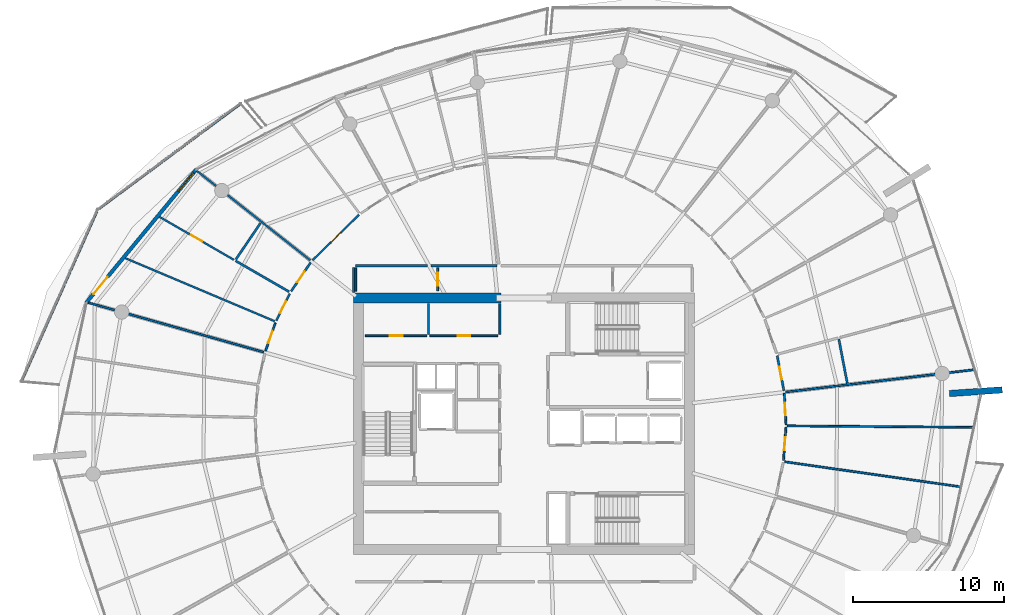
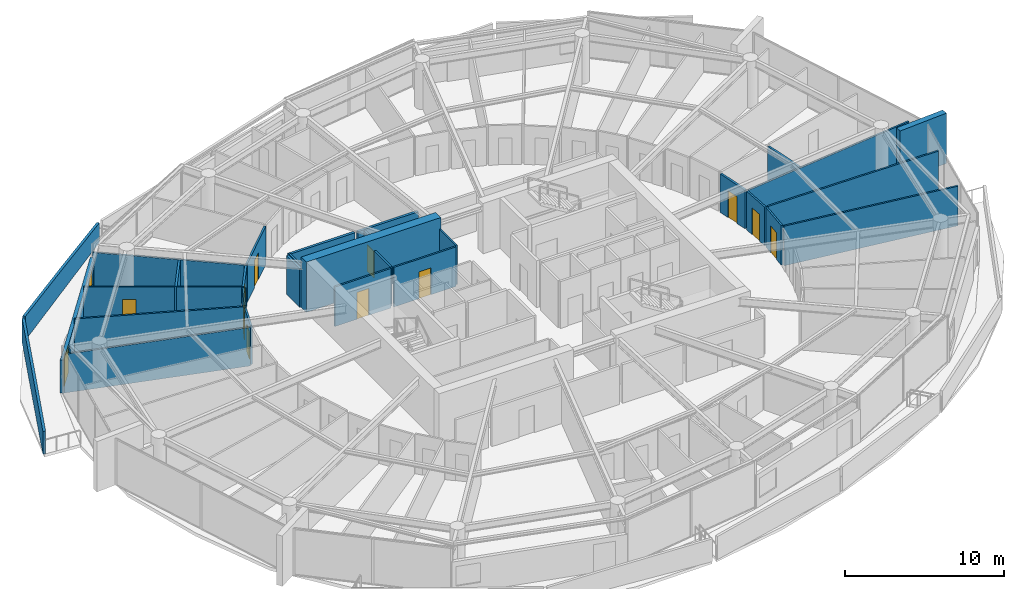
# One storey, part 21 of 30: 31 walls, 12 doors, 1 window, 13 openings.
"""IFC4 building model written with IfcOpenShell, lengths in metres."""

from ifc_helpers import new_model, si_unit, direction, frame, frame_2d, origin, place, context, subcontext, project, spatial, polyline, rectangle, outline, extrude, material, layer, layer_set, type_object, element, fill, save


model = new_model("IFC4")

# Units and contexts
model_context = context("Model", 3, precision=1e-05, world=origin(), true_north=direction((0.0, 1.0)))
body_context = subcontext(model_context, "Body", "Model", "MODEL_VIEW")
ifc_project = project(units=[si_unit("LENGTHUNIT", "METRE"), si_unit("AREAUNIT", "SQUARE_METRE"), si_unit("VOLUMEUNIT", "CUBIC_METRE"), si_unit("PLANEANGLEUNIT", "RADIAN"), si_unit("MASSUNIT", "GRAM", prefix="KILO")], contexts=[model_context])

# Site, building, storey
site_placement = place(None, origin())
site = spatial("IfcSite", under=ifc_project, at=site_placement, CompositionType="ELEMENT")
building_placement = place(site_placement, origin())
building = spatial("IfcBuilding", under=site, at=building_placement, Name="Kazma Halo Residences", CompositionType="ELEMENT")
storey_placement = place(building_placement, frame((0.0, 0.0, 263.64990234375)))
storey = spatial("IfcBuildingStorey", under=building, at=storey_placement, Name="L66", CompositionType="ELEMENT", Elevation=263.64990234375)

# Walls
ifc_material_1 = material(Name="White Concrete C50/60 Balustrade", Category="concrete")
ifc_layer_1 = layer(ifc_material_1, 0.179931640625)
ifc_layer_set_1 = layer_set([ifc_layer_1], Name="White Concrete C50/60 Balustrade")
wall_type_1 = type_object("IfcWallType", Name="WL-BAL-WAVE-180", PredefinedType="PARAPET", material=ifc_layer_set_1)
wall_1_placement = place(storey_placement, frame((29.681396484375, 63.184814453125, 0.0), z_axis=(0.0, 0.0, 1.0), x_axis=(-0.803330402034, -0.59553359701, 0.0)))
element("IfcWall", 1, at=wall_1_placement, inside=storey, type_object=wall_type_1, Name="L66 white wave balustrade wall NW.1", PredefinedType="PARAPET", context=body_context, shape_type="SweptSolid", body=[
    extrude(outline(polyline([(0.0, 0.0), (11.673828125, 0.0), (11.673828125, 1.83203125), (5.8369140625, 1.696044921875), (0.0, 1.4970703125), (0.0, 0.0)])), frame((0.0, 0.08984375, 0.0), z_axis=(0.0, -1.0, 0.0), x_axis=(1.0, 0.0, 0.0)), (0.0, 0.0, 1.0), 0.179931640625),
])
wall_2_placement = place(storey_placement, frame((20.158447265625, 56.051513671875, 0.0), z_axis=(0.0, 0.0, 1.0), x_axis=(-0.405327660322, -0.914171476135, 0.0)))
element("IfcWall", 2, at=wall_2_placement, inside=storey, type_object=wall_type_1, Name="L66 white wave balustrade wall NW.2", PredefinedType="PARAPET", context=body_context, shape_type="SweptSolid", body=[
    extrude(outline(polyline([(0.0, 0.0), (12.322998046875, 0.0), (12.322998046875, 1.756103515625), (6.16162109375, 1.85302734375), (0.0, 1.83203125), (0.0, 0.0)])), frame((0.0, 0.08984375, 0.0), z_axis=(0.0, -1.0, 0.0), x_axis=(1.0, 0.0, 0.0)), (0.0, 0.0, 1.0), 0.179931640625),
])
ifc_material_2 = material(Name="Pale Concrete C60/75", Category="concrete")
ifc_layer_2 = layer(ifc_material_2, 0.419921875)
ifc_layer_set_2 = layer_set([ifc_layer_2], Name="Pale Concrete C60/75")
wall_type_2 = type_object("IfcWallType", Name="WL-BLADE-420", PredefinedType="SOLIDWALL", material=ifc_layer_set_2)
wall_3_placement = place(storey_placement, frame((76.5625, 43.997314453125, 0.0), z_axis=(0.0, 0.0, 1.0), x_axis=(0.997563824095, 0.069759707979, 0.0)))
element("IfcWall", 3, at=wall_3_placement, inside=storey, type_object=wall_type_2, Name="L66 pale concrete structural blade fin wall BW-04", PredefinedType="SOLIDWALL", context=body_context, shape_type="SweptSolid", body=[
    extrude(rectangle(XDim=3.499755859375, YDim=0.419921875, at=frame_2d((1.75, 0.0))), origin(), (0.0, 0.0, 1.0), 3.85009765625),
])
ifc_material_3 = material(Name="Concrete C60/75", Category="concrete")
ifc_layer_3 = layer(ifc_material_3, 0.64990234375)
ifc_layer_set_3 = layer_set([ifc_layer_3], Name="Concrete C60/75")
wall_type_3 = type_object("IfcWallType", Name="WL-CORE-650", PredefinedType="SHEAR", material=ifc_layer_set_3)
wall_4_placement = place(storey_placement, frame((37.14990234375, 50.324951171875, 0.0), z_axis=(0.0, 0.0, 1.0), x_axis=(1.0, 0.0, 0.0)))
element("IfcWall", 4, at=wall_4_placement, inside=storey, type_object=wall_type_3, Name="L66 central core shear wall NW", PredefinedType="SHEAR", context=body_context, shape_type="SweptSolid", body=[
    extrude(rectangle(XDim=9.75, YDim=0.64990234375, at=frame_2d((4.875, 0.0))), origin(), (0.0, 0.0, 1.0), 3.85009765625),
])
ifc_material_4 = material(Name="Acoustic Twin-Stud Gypsum")
ifc_layer_4 = layer(ifc_material_4, 0.179931640625)
ifc_layer_set_4 = layer_set([ifc_layer_4], Name="Acoustic Twin-Stud Gypsum")
wall_type_4 = type_object("IfcWallType", Name="WL-DEM-180", PredefinedType="PARTITIONING", material=ifc_layer_set_4)
wall_5_placement = place(storey_placement, frame((46.643310546875, 52.449951171875, 0.0), z_axis=(0.0, 0.0, 1.0), x_axis=(-1.0, 0.0, 0.0)))
element("IfcWall", 5, at=wall_5_placement, inside=storey, type_object=wall_type_4, Name="L66 Apartment 1 inner wall 3", PredefinedType="PARTITIONING", context=body_context, shape_type="SweptSolid", body=[
    extrude(rectangle(XDim=4.375732421875, YDim=0.179931640625, at=frame_2d((2.18798828125, 0.0))), origin(), (0.0, 0.0, 1.0), 2.95703125),
])
wall_6_placement = place(storey_placement, frame((42.027587890625, 52.449951171875, 0.0), z_axis=(0.0, 0.0, 1.0), x_axis=(-1.0, 0.0, 0.0)))
element("IfcWall", 6, at=wall_6_placement, inside=storey, type_object=wall_type_4, Name="L66 Apartment 1 inner wall 4", PredefinedType="PARTITIONING", context=body_context, shape_type="SweptSolid", body=[
    extrude(rectangle(XDim=4.757568359375, YDim=0.179931640625, at=frame_2d((2.37890625, 0.0))), origin(), (0.0, 0.0, 1.0), 2.95703125),
])
wall_7_placement = place(storey_placement, frame((37.14990234375, 52.330078125, 0.0), z_axis=(0.0, 0.0, 1.0), x_axis=(0.0, -1.0, 0.0)))
element("IfcWall", 7, at=wall_7_placement, inside=storey, type_object=wall_type_4, Name="L66 Apartment 1 inner wall 4", PredefinedType="PARTITIONING", context=body_context, shape_type="SweptSolid", body=[
    extrude(rectangle(XDim=1.656494140625, YDim=0.179931640625, at=frame_2d((0.828125, 0.0))), origin(), (0.0, 0.0, 1.0), 2.95703125),
])

# Wall, openings, door, window
ifc_material_5 = material(Name="Insulated Pale-Metal Composite Wall")
ifc_layer_5 = layer(ifc_material_5, 0.239990234375)
ifc_layer_set_5 = layer_set([ifc_layer_5], Name="Insulated Pale-Metal Composite Wall")
wall_type_5 = type_object("IfcWallType", Name="WL-EXT-HOST-240", PredefinedType="SOLIDWALL", material=ifc_layer_set_5)
wall_8_placement = place(storey_placement, frame((26.7421875, 58.822021484375, 0.0), z_axis=(0.0, 0.0, 1.0), x_axis=(-0.636680093065, -0.771128043255, 0.0)))
wall_8 = element("IfcWall", 8, at=wall_8_placement, inside=storey, type_object=wall_type_5, Name="L66 exterior terrace-access wall B06", PredefinedType="SOLIDWALL", context=body_context, shape_type="SweptSolid", body=[
    extrude(rectangle(XDim=11.438232421875, YDim=0.239990234375, at=frame_2d((5.71923828125, 0.0))), origin(), (0.0, 0.0, 1.0), 2.5400390625),
])
opening_1_placement = place(wall_8_placement, frame((9.21826171875, 0.0, 0.0)))
opening_1 = element("IfcOpeningElement", 9, at=opening_1_placement, cuts=wall_8, Name="Opening DTR-1600", PredefinedType="OPENING", context=body_context, shape_type="SweptSolid", body=[
    extrude(rectangle(XDim=1.449951171875, YDim=2.14990234375, at=frame_2d((0.72509765625, 1.074951171875))), frame((0.0, 0.1298828125, 0.0), z_axis=(0.0, -1.0, 0.0), x_axis=(1.0, 0.0, 0.0)), (0.0, 0.0, 1.0), 0.260009765625),
])
opening_2_placement = place(wall_8_placement, frame((0.280029296875, 0.0, 0.64990234375)))
opening_2 = element("IfcOpeningElement", 10, at=opening_2_placement, cuts=wall_8, Name="Opening W-1800", PredefinedType="OPENING", context=body_context, shape_type="SweptSolid", body=[
    extrude(rectangle(XDim=1.60009765625, YDim=1.5, at=frame_2d((0.800048828125, 0.75))), frame((0.0, 0.1298828125, 0.0), z_axis=(0.0, -1.0, 0.0), x_axis=(1.0, 0.0, 0.0)), (0.0, 0.0, 1.0), 0.260009765625),
])
ifc_material_6 = material(Name="Aluminium AW-6063 T6 Double-Glazed Terrace Door", Category="aluminium")
door_type_1 = type_object("IfcDoorType", Name="DR-EXT-TERR-1600", OperationType="NOTDEFINED", PredefinedType="DOOR", material=ifc_material_6)
door_1_placement = place(opening_1_placement, origin())
door_1 = element("IfcDoor", 11, at=door_1_placement, inside=storey, type_object=door_type_1, Name="L66 B06 balcony terrace door", OperationType="DOUBLE_DOOR_SLIDING", OverallHeight=2.14990234375, OverallWidth=1.449951171875, PredefinedType="DOOR", context=body_context, shape_type="SweptSolid", body=[
    extrude(rectangle(XDim=1.449951171875, YDim=2.14990234375, at=frame_2d((0.72509765625, 1.074951171875))), frame((0.0, 0.02490234375, 0.0), z_axis=(0.0, -1.0, 0.0), x_axis=(1.0, 0.0, 0.0)), (0.0, 0.0, 1.0), 0.050048828125),
])
fill(opening_1, door_1)
ifc_material_7 = material(Name="Clear Triple-Silver Low-E Glass in Aluminium AW-6063 T6 Frame", Category="aluminium")
window_type = type_object("IfcWindowType", Name="WIN-RES-1800", PartitioningType="DOUBLE_PANEL_VERTICAL", PredefinedType="WINDOW", material=ifc_material_7)
window_placement = place(opening_2_placement, origin())
window = element("IfcWindow", 12, at=window_placement, inside=storey, type_object=window_type, Name="L66 B06 apartment window", OverallHeight=1.5, OverallWidth=1.60009765625, PartitioningType="SINGLE_PANEL", PredefinedType="WINDOW", context=body_context, shape_type="SweptSolid", body=[
    extrude(rectangle(XDim=1.60009765625, YDim=1.5, at=frame_2d((0.800048828125, 0.75))), frame((0.0, 0.030029296875, 0.0), z_axis=(0.0, -1.0, 0.0), x_axis=(1.0, 0.0, 0.0)), (0.0, 0.0, 1.0), 0.06005859375),
])
fill(opening_2, window)

# Walls
ifc_material_8 = material(Name="Gypsum Plasterboard Partition")
ifc_layer_6 = layer(ifc_material_8, 0.125)
ifc_layer_set_6 = layer_set([ifc_layer_6], Name="Gypsum Plasterboard Partition")
wall_type_6 = type_object("IfcWallType", Name="WL-PART-125", PredefinedType="PARTITIONING", material=ifc_layer_set_6)
for number, where, z_axis, x_axis, name in (
    (13, (46.820068359375, 47.919921875, 0.0), (0.0, 0.0, 1.0), (0.0, 1.0, 0.0), "L66 reclaimed north east wall"),
    (14, (42.10009765625, 47.919921875, 0.0), (0.0, 0.0, 1.0), (0.0, 1.0, 0.0), "L66 reclaimed north divider wall"),
):
    element("IfcWall", number, at=place(storey_placement, frame(where, z_axis=z_axis, x_axis=x_axis)), inside=storey, type_object=wall_type_6, Name=name, PredefinedType="PARTITIONING", context=body_context, shape_type="SweptSolid", body=[
        extrude(rectangle(XDim=2.030029296875, YDim=0.125, at=frame_2d((1.01513671875, 0.0))), origin(), (0.0, 0.0, 1.0), 3.030029296875),
    ])

# Wall, opening, door
wall_9_placement = place(storey_placement, frame((37.919921875, 47.820068359375, 0.0), z_axis=(0.0, 0.0, 1.0), x_axis=(1.0, 0.0, 0.0)))
wall_9 = element("IfcWall", 15, at=wall_9_placement, inside=storey, type_object=wall_type_6, Name="L66 reclaimed north W front wall", PredefinedType="PARTITIONING", context=body_context, shape_type="SweptSolid", body=[
    extrude(rectangle(XDim=4.080078125, YDim=0.125, at=frame_2d((2.0400390625, 0.0))), origin(), (0.0, 0.0, 1.0), 3.030029296875),
])
opening_3_placement = place(wall_9_placement, frame((1.614990234375, 0.0, 0.0)))
opening_3 = element("IfcOpeningElement", 16, at=opening_3_placement, cuts=wall_9, Name="Opening DS-850", PredefinedType="OPENING", context=body_context, shape_type="SweptSolid", body=[
    extrude(rectangle(XDim=0.85009765625, YDim=2.06005859375, at=frame_2d((0.425048828125, 1.030029296875))), frame((0.0, 0.072509765625, 0.0), z_axis=(0.0, -1.0, 0.0), x_axis=(1.0, 0.0, 0.0)), (0.0, 0.0, 1.0), 0.14501953125),
])
ifc_material_9 = material(Name="Painted Steel Access Leaf", Category="steel")
door_type_2 = type_object("IfcDoorType", Name="DR-SVC-850", OperationType="NOTDEFINED", PredefinedType="DOOR", material=ifc_material_9)
door_2_placement = place(opening_3_placement, origin())
door_2 = element("IfcDoor", 17, at=door_2_placement, inside=storey, type_object=door_type_2, Name="L66 reclaimed north W door", OperationType="SINGLE_SWING_RIGHT", OverallHeight=2.06005859375, OverallWidth=0.85009765625, PredefinedType="DOOR", context=body_context, shape_type="SweptSolid", body=[
    extrude(rectangle(XDim=0.85009765625, YDim=2.06005859375, at=frame_2d((0.425048828125, 1.030029296875))), frame((0.0, 0.02490234375, 0.0), z_axis=(0.0, -1.0, 0.0), x_axis=(1.0, 0.0, 0.0)), (0.0, 0.0, 1.0), 0.050048828125),
])
fill(opening_3, door_2)

wall_10_placement = place(storey_placement, frame((42.199951171875, 47.820068359375, 0.0), z_axis=(0.0, 0.0, 1.0), x_axis=(1.0, 0.0, 0.0)))
wall_10 = element("IfcWall", 18, at=wall_10_placement, inside=storey, type_object=wall_type_6, Name="L66 reclaimed north E front wall", PredefinedType="PARTITIONING", context=body_context, shape_type="SweptSolid", body=[
    extrude(rectangle(XDim=4.5, YDim=0.125, at=frame_2d((2.25, 0.0))), origin(), (0.0, 0.0, 1.0), 3.030029296875),
])
opening_4_placement = place(wall_10_placement, frame((1.824951171875, 0.0, 0.0)))
opening_4 = element("IfcOpeningElement", 19, at=opening_4_placement, cuts=wall_10, Name="Opening DS-850", PredefinedType="OPENING", context=body_context, shape_type="SweptSolid", body=[
    extrude(rectangle(XDim=0.85009765625, YDim=2.06005859375, at=frame_2d((0.425048828125, 1.030029296875))), frame((0.0, 0.072509765625, 0.0), z_axis=(0.0, -1.0, 0.0), x_axis=(1.0, 0.0, 0.0)), (0.0, 0.0, 1.0), 0.14501953125),
])
door_3_placement = place(opening_4_placement, origin())
door_3 = element("IfcDoor", 20, at=door_3_placement, inside=storey, type_object=door_type_2, Name="L66 reclaimed north E door", OperationType="SINGLE_SWING_LEFT", OverallHeight=2.06005859375, OverallWidth=0.85009765625, PredefinedType="DOOR", context=body_context, shape_type="SweptSolid", body=[
    extrude(rectangle(XDim=0.85009765625, YDim=2.06005859375, at=frame_2d((0.425048828125, 1.030029296875))), frame((0.0, 0.02490234375, 0.0), z_axis=(0.0, -1.0, 0.0), x_axis=(1.0, 0.0, 0.0)), (0.0, 0.0, 1.0), 0.050048828125),
])
fill(opening_4, door_3)

# Wall
wall_11_placement = place(storey_placement, frame((37.2900390625, 50.77001953125, 0.0), z_axis=(0.0, 0.0, 1.0), x_axis=(0.0, 1.0, 0.0)))
element("IfcWall", 21, at=wall_11_placement, inside=storey, type_object=wall_type_6, Name="L66 west linen end wall", PredefinedType="PARTITIONING", context=body_context, shape_type="SweptSolid", body=[
    extrude(rectangle(XDim=1.5400390625, YDim=0.125, at=frame_2d((0.77001953125, 0.0))), origin(), (0.0, 0.0, 1.0), 3.030029296875),
])

# Wall, opening, door
wall_12_placement = place(storey_placement, frame((42.7099609375, 50.7900390625, 0.0), z_axis=(0.0, 0.0, 1.0), x_axis=(0.0, 1.0, 0.0)))
wall_12 = element("IfcWall", 22, at=wall_12_placement, inside=storey, type_object=wall_type_6, Name="L66 floor linen store door wall", PredefinedType="PARTITIONING", context=body_context, shape_type="SweptSolid", body=[
    extrude(rectangle(XDim=1.52001953125, YDim=0.125, at=frame_2d((0.760009765625, 0.0))), origin(), (0.0, 0.0, 1.0), 2.95703125),
])
opening_5_placement = place(wall_12_placement, frame((0.3349609375, 0.0, 0.0)))
opening_5 = element("IfcOpeningElement", 23, at=opening_5_placement, cuts=wall_12, Name="Opening DS-850", PredefinedType="OPENING", context=body_context, shape_type="SweptSolid", body=[
    extrude(rectangle(XDim=0.85009765625, YDim=2.06005859375, at=frame_2d((0.425048828125, 1.030029296875))), frame((0.0, 0.072509765625, 0.0), z_axis=(0.0, -1.0, 0.0), x_axis=(1.0, 0.0, 0.0)), (0.0, 0.0, 1.0), 0.14501953125),
])
door_4_placement = place(opening_5_placement, origin())
door_4 = element("IfcDoor", 24, at=door_4_placement, inside=storey, type_object=door_type_2, Name="L66 floor linen store door", OperationType="SINGLE_SWING_LEFT", OverallHeight=2.06005859375, OverallWidth=0.85009765625, PredefinedType="DOOR", context=body_context, shape_type="SweptSolid", body=[
    extrude(rectangle(XDim=0.85009765625, YDim=2.06005859375, at=frame_2d((0.425048828125, 1.030029296875))), frame((0.0, 0.02490234375, 0.0), z_axis=(0.0, -1.0, 0.0), x_axis=(1.0, 0.0, 0.0)), (0.0, 0.0, 1.0), 0.050048828125),
])
fill(opening_5, door_4)

wall_13_placement = place(storey_placement, frame((37.506103515625, 55.821533203125, 0.0), z_axis=(0.0, 0.0, 1.0), x_axis=(-0.715105814901, -0.699016218334, 0.0)))
wall_13 = element("IfcWall", 25, at=wall_13_placement, inside=storey, type_object=wall_type_6, Name="L66 Apartment 1 Secondary Master Bedroom hall wall", PredefinedType="PARTITIONING", context=body_context, shape_type="SweptSolid", body=[
    extrude(rectangle(XDim=4.294189453125, YDim=0.125, at=frame_2d((2.14697265625, 0.0))), origin(), (0.0, 0.0, 1.0), 2.95703125),
])
opening_6_placement = place(wall_13_placement, frame((1.697265625, 0.0, 0.0)))
opening_6 = element("IfcOpeningElement", 26, at=opening_6_placement, cuts=wall_13, Name="Opening DI-950", PredefinedType="OPENING", context=body_context, shape_type="SweptSolid", body=[
    extrude(rectangle(XDim=0.89990234375, YDim=2.080078125, at=frame_2d((0.449951171875, 1.0400390625))), frame((0.0, 0.072509765625, 0.0), z_axis=(0.0, -1.0, 0.0), x_axis=(1.0, 0.0, 0.0)), (0.0, 0.0, 1.0), 0.14501953125),
])
ifc_material_10 = material(Name="Timber Veneer Flush Leaf", Category="wood")
door_type_3 = type_object("IfcDoorType", Name="DR-INT-950", OperationType="NOTDEFINED", PredefinedType="DOOR", material=ifc_material_10)
door_5_placement = place(opening_6_placement, origin())
door_5 = element("IfcDoor", 27, at=door_5_placement, inside=storey, type_object=door_type_3, Name="L66 Apartment 1 Secondary Master Bedroom door", OperationType="SINGLE_SWING_RIGHT", OverallHeight=2.080078125, OverallWidth=0.89990234375, PredefinedType="DOOR", context=body_context, shape_type="SweptSolid", body=[
    extrude(rectangle(XDim=0.89990234375, YDim=2.080078125, at=frame_2d((0.449951171875, 1.0400390625))), frame((0.0, 0.02490234375, 0.0), z_axis=(0.0, -1.0, 0.0), x_axis=(1.0, 0.0, 0.0)), (0.0, 0.0, 1.0), 0.050048828125),
])
fill(opening_6, door_5)

# Wall
wall_14_placement = place(storey_placement, frame((34.285400390625, 52.811767578125, 0.0), z_axis=(0.0, 0.0, 1.0), x_axis=(-0.785324921183, 0.619083813526, 0.0)))
element("IfcWall", 28, at=wall_14_placement, inside=storey, type_object=wall_type_6, Name="L66 Apartment 1 radial partition 5", PredefinedType="PARTITIONING", context=body_context, shape_type="SweptSolid", body=[
    extrude(rectangle(XDim=9.620849609375, YDim=0.125, at=frame_2d((4.810546875, 0.0))), origin(), (0.0, 0.0, 1.0), 2.95703125),
])

# Wall, opening, door
wall_15_placement = place(storey_placement, frame((29.232666015625, 52.841796875, 0.0), z_axis=(0.0, 0.0, 1.0), x_axis=(-0.865885749935, 0.500241809588, 0.0)))
wall_15 = element("IfcWall", 29, at=wall_15_placement, inside=storey, type_object=wall_type_6, Name="L66 Apartment 1 West Walk-In Wardrobe partition wall", PredefinedType="PARTITIONING", context=body_context, shape_type="SweptSolid", body=[
    extrude(rectangle(XDim=5.682861328125, YDim=0.125, at=frame_2d((2.84130859375, 0.0))), origin(), (0.0, 0.0, 1.0), 3.030029296875),
])
opening_7_placement = place(wall_15_placement, frame((2.41650390625, 0.0, 0.0)))
opening_7 = element("IfcOpeningElement", 30, at=opening_7_placement, cuts=wall_15, Name="Opening DB-900", PredefinedType="OPENING", context=body_context, shape_type="SweptSolid", body=[
    extrude(rectangle(XDim=0.85009765625, YDim=2.06005859375, at=frame_2d((0.425048828125, 1.030029296875))), frame((0.0, 0.072509765625, 0.0), z_axis=(0.0, -1.0, 0.0), x_axis=(1.0, 0.0, 0.0)), (0.0, 0.0, 1.0), 0.14501953125),
])
ifc_material_11 = material(Name="Moisture-Sealed Timber Leaf", Category="wood")
door_type_4 = type_object("IfcDoorType", Name="DR-BTH-900", OperationType="NOTDEFINED", PredefinedType="DOOR", material=ifc_material_11)
door_6_placement = place(opening_7_placement, origin())
door_6 = element("IfcDoor", 31, at=door_6_placement, inside=storey, type_object=door_type_4, Name="L66 Apartment 1 West Walk-In Wardrobe door", OperationType="SINGLE_SWING_LEFT", OverallHeight=2.06005859375, OverallWidth=0.85009765625, PredefinedType="DOOR", context=body_context, shape_type="SweptSolid", body=[
    extrude(rectangle(XDim=0.85009765625, YDim=2.06005859375, at=frame_2d((0.425048828125, 1.030029296875))), frame((0.0, 0.02490234375, 0.0), z_axis=(0.0, -1.0, 0.0), x_axis=(1.0, 0.0, 0.0)), (0.0, 0.0, 1.0), 0.050048828125),
])
fill(opening_7, door_6)

# Wall
wall_16_placement = place(storey_placement, frame((31.919677734375, 48.786865234375, 0.0), z_axis=(0.0, 0.0, 1.0), x_axis=(-0.92130726737, 0.388835336731, 0.0)))
element("IfcWall", 32, at=wall_16_placement, inside=storey, type_object=wall_type_6, Name="L66 Apartment 1 suite divider 5", PredefinedType="PARTITIONING", context=body_context, shape_type="SweptSolid", body=[
    extrude(rectangle(XDim=10.711669921875, YDim=0.125, at=frame_2d((5.35595703125, 0.0))), origin(), (0.0, 0.0, 1.0), 3.030029296875),
])

# Wall, opening, door
wall_17_placement = place(storey_placement, frame((32.924560546875, 50.605224609375, 0.0), z_axis=(0.0, 0.0, 1.0), x_axis=(-0.445446150764, -0.895308732656, 0.0)))
wall_17 = element("IfcWall", 33, at=wall_17_placement, inside=storey, type_object=wall_type_6, Name="L66 Apartment 1 North Private Study hall wall", PredefinedType="PARTITIONING", context=body_context, shape_type="SweptSolid", body=[
    extrude(rectangle(XDim=1.989990234375, YDim=0.125, at=frame_2d((0.9951171875, 0.0))), origin(), (0.0, 0.0, 1.0), 3.030029296875),
])
opening_8_placement = place(wall_17_placement, frame((0.570068359375, 0.0, 0.0)))
opening_8 = element("IfcOpeningElement", 34, at=opening_8_placement, cuts=wall_17, Name="Opening DB-900", PredefinedType="OPENING", context=body_context, shape_type="SweptSolid", body=[
    extrude(rectangle(XDim=0.85009765625, YDim=2.06005859375, at=frame_2d((0.425048828125, 1.030029296875))), frame((0.0, 0.072509765625, 0.0), z_axis=(0.0, -1.0, 0.0), x_axis=(1.0, 0.0, 0.0)), (0.0, 0.0, 1.0), 0.14501953125),
])
door_7_placement = place(opening_8_placement, origin())
door_7 = element("IfcDoor", 35, at=door_7_placement, inside=storey, type_object=door_type_4, Name="L66 Apartment 1 North Private Study door", OperationType="SINGLE_SWING_RIGHT", OverallHeight=2.06005859375, OverallWidth=0.85009765625, PredefinedType="DOOR", context=body_context, shape_type="SweptSolid", body=[
    extrude(rectangle(XDim=0.85009765625, YDim=2.06005859375, at=frame_2d((0.425048828125, 1.030029296875))), frame((0.0, 0.02490234375, 0.0), z_axis=(0.0, -1.0, 0.0), x_axis=(1.0, 0.0, 0.0)), (0.0, 0.0, 1.0), 0.050048828125),
])
fill(opening_8, door_7)

wall_18_placement = place(storey_placement, frame((31.97607421875, 48.676513671875, 0.0), z_axis=(0.0, 0.0, 1.0), x_axis=(-0.330762244327, -0.943714118644, 0.0)))
wall_18 = element("IfcWall", 36, at=wall_18_placement, inside=storey, type_object=wall_type_6, Name="L66 Apartment 1 South Master Bedroom hall wall", PredefinedType="PARTITIONING", context=body_context, shape_type="SweptSolid", body=[
    extrude(rectangle(XDim=1.98046875, YDim=0.125, at=frame_2d((0.990234375, 0.0))), origin(), (0.0, 0.0, 1.0), 2.95703125),
])
opening_9_placement = place(wall_18_placement, frame((0.565185546875, 0.0, 0.0)))
opening_9 = element("IfcOpeningElement", 37, at=opening_9_placement, cuts=wall_18, Name="Opening DB-900", PredefinedType="OPENING", context=body_context, shape_type="SweptSolid", body=[
    extrude(rectangle(XDim=0.85009765625, YDim=2.06005859375, at=frame_2d((0.425048828125, 1.030029296875))), frame((0.0, 0.072509765625, 0.0), z_axis=(0.0, -1.0, 0.0), x_axis=(1.0, 0.0, 0.0)), (0.0, 0.0, 1.0), 0.14501953125),
])
door_8_placement = place(opening_9_placement, origin())
door_8 = element("IfcDoor", 38, at=door_8_placement, inside=storey, type_object=door_type_4, Name="L66 Apartment 1 South Master Bedroom door", OperationType="SINGLE_SWING_LEFT", OverallHeight=2.06005859375, OverallWidth=0.85009765625, PredefinedType="DOOR", context=body_context, shape_type="SweptSolid", body=[
    extrude(rectangle(XDim=0.85009765625, YDim=2.06005859375, at=frame_2d((0.425048828125, 1.030029296875))), frame((0.0, 0.02490234375, 0.0), z_axis=(0.0, -1.0, 0.0), x_axis=(1.0, 0.0, 0.0)), (0.0, 0.0, 1.0), 0.050048828125),
])
fill(opening_9, door_8)

# Walls
wall_19_placement = place(storey_placement, frame((31.191650390625, 46.740478515625, 0.0), z_axis=(0.0, 0.0, 1.0), x_axis=(-0.962454841417, 0.271441850554, 0.0)))
element("IfcWall", 39, at=wall_19_placement, inside=storey, type_object=wall_type_6, Name="L66 Apartment 1 radial partition 6", PredefinedType="PARTITIONING", context=body_context, shape_type="SweptSolid", body=[
    extrude(rectangle(XDim=12.031494140625, YDim=0.125, at=frame_2d((6.015625, 0.0))), origin(), (0.0, 0.0, 1.0), 2.95703125),
])
wall_20_placement = place(storey_placement, frame((65.6689453125, 39.4853515625, 0.0), z_axis=(0.0, 0.0, 1.0), x_axis=(0.990022432034, -0.140909843761, 0.0)))
element("IfcWall", 40, at=wall_20_placement, inside=storey, type_object=wall_type_6, Name="L66 Apartment 2 bay wall 1 14", PredefinedType="PARTITIONING", context=body_context, shape_type="SweptSolid", body=[
    extrude(rectangle(XDim=11.760986328125, YDim=0.125, at=frame_2d((5.88037109375, 0.0))), origin(), (0.0, 0.0, 1.0), 3.030029296875),
])
wall_21_placement = place(storey_placement, frame((65.846435546875, 41.85986328125, 0.0), z_axis=(0.0, 0.0, 1.0), x_axis=(0.999969162233, -0.007853316706, 0.0)))
element("IfcWall", 41, at=wall_21_placement, inside=storey, type_object=wall_type_6, Name="L66 Apartment 2 bay wall 2 14", PredefinedType="PARTITIONING", context=body_context, shape_type="SweptSolid", body=[
    extrude(rectangle(XDim=12.310791015625, YDim=0.125, at=frame_2d((6.1552734375, 0.0))), origin(), (0.0, 0.0, 1.0), 3.030029296875),
])

# Wall, opening, door
wall_22_placement = place(storey_placement, frame((65.5859375, 39.577880859375, 0.0), z_axis=(0.0, 0.0, 1.0), x_axis=(0.074490462528, 0.997221726093, 0.0)))
wall_22 = element("IfcWall", 42, at=wall_22_placement, inside=storey, type_object=wall_type_6, Name="L66 Apartment 2 Corner Dressing Wardrobe hall wall", PredefinedType="PARTITIONING", context=body_context, shape_type="SweptSolid", body=[
    extrude(rectangle(XDim=2.208984375, YDim=0.125, at=frame_2d((1.1044921875, 0.0))), origin(), (0.0, 0.0, 1.0), 3.030029296875),
])
opening_10_placement = place(wall_22_placement, frame((0.679443359375, 0.0, 0.0)))
opening_10 = element("IfcOpeningElement", 43, at=opening_10_placement, cuts=wall_22, Name="Opening DB-900", PredefinedType="OPENING", context=body_context, shape_type="SweptSolid", body=[
    extrude(rectangle(XDim=0.85009765625, YDim=2.06005859375, at=frame_2d((0.425048828125, 1.030029296875))), frame((0.0, 0.072509765625, 0.0), z_axis=(0.0, -1.0, 0.0), x_axis=(1.0, 0.0, 0.0)), (0.0, 0.0, 1.0), 0.14501953125),
])
door_9_placement = place(opening_10_placement, origin())
door_9 = element("IfcDoor", 44, at=door_9_placement, inside=storey, type_object=door_type_4, Name="L66 Apartment 2 Corner Dressing Wardrobe door", OperationType="SINGLE_SWING_LEFT", OverallHeight=2.06005859375, OverallWidth=0.85009765625, PredefinedType="DOOR", context=body_context, shape_type="SweptSolid", body=[
    extrude(rectangle(XDim=0.85009765625, YDim=2.06005859375, at=frame_2d((0.425048828125, 1.030029296875))), frame((0.0, 0.02490234375, 0.0), z_axis=(0.0, -1.0, 0.0), x_axis=(1.0, 0.0, 0.0)), (0.0, 0.0, 1.0), 0.050048828125),
])
fill(opening_10, door_9)

wall_23_placement = place(storey_placement, frame((65.752197265625, 41.9404296875, 0.0), z_axis=(0.0, 0.0, 1.0), x_axis=(-0.055084577693, 0.998481692021, 0.0)))
wall_23 = element("IfcWall", 45, at=wall_23_placement, inside=storey, type_object=wall_type_6, Name="L66 Apartment 2 Garden Master Bedroom hall wall", PredefinedType="PARTITIONING", context=body_context, shape_type="SweptSolid", body=[
    extrude(rectangle(XDim=2.06982421875, YDim=0.125, at=frame_2d((1.034912109375, 0.0))), origin(), (0.0, 0.0, 1.0), 2.95703125),
])
opening_11_placement = place(wall_23_placement, frame((0.610107421875, 0.0, 0.0)))
opening_11 = element("IfcOpeningElement", 46, at=opening_11_placement, cuts=wall_23, Name="Opening DB-900", PredefinedType="OPENING", context=body_context, shape_type="SweptSolid", body=[
    extrude(rectangle(XDim=0.85009765625, YDim=2.06005859375, at=frame_2d((0.425048828125, 1.030029296875))), frame((0.0, 0.072509765625, 0.0), z_axis=(0.0, -1.0, 0.0), x_axis=(1.0, 0.0, 0.0)), (0.0, 0.0, 1.0), 0.14501953125),
])
door_10_placement = place(opening_11_placement, origin())
door_10 = element("IfcDoor", 47, at=door_10_placement, inside=storey, type_object=door_type_4, Name="L66 Apartment 2 Garden Master Bedroom door", OperationType="SINGLE_SWING_RIGHT", OverallHeight=2.06005859375, OverallWidth=0.85009765625, PredefinedType="DOOR", context=body_context, shape_type="SweptSolid", body=[
    extrude(rectangle(XDim=0.85009765625, YDim=2.06005859375, at=frame_2d((0.425048828125, 1.030029296875))), frame((0.0, 0.02490234375, 0.0), z_axis=(0.0, -1.0, 0.0), x_axis=(1.0, 0.0, 0.0)), (0.0, 0.0, 1.0), 0.050048828125),
])
fill(opening_11, door_10)

# Wall
wall_24_placement = place(storey_placement, frame((65.733154296875, 44.098876953125, 0.0), z_axis=(0.0, 0.0, 1.0), x_axis=(0.99306831242, 0.117538618625, 0.0)))
element("IfcWall", 48, at=wall_24_placement, inside=storey, type_object=wall_type_6, Name="L66 Apartment 2 radial partition 15", PredefinedType="PARTITIONING", context=body_context, shape_type="SweptSolid", body=[
    extrude(rectangle(XDim=12.57275390625, YDim=0.125, at=frame_2d((6.286376953125, 0.0))), origin(), (0.0, 0.0, 1.0), 2.95703125),
])

# Wall, opening, door
ifc_material_12 = material(Name="Moisture-Resistant Gypsum")
ifc_layer_7 = layer(ifc_material_12, 0.14990234375)
ifc_layer_set_7 = layer_set([ifc_layer_7], Name="Moisture-Resistant Gypsum")
wall_type_7 = type_object("IfcWallType", Name="WL-WET-150", PredefinedType="PARTITIONING", material=ifc_layer_set_7)
wall_25_placement = place(storey_placement, frame((34.3076171875, 52.6669921875, 0.0), z_axis=(0.0, 0.0, 1.0), x_axis=(-0.561141072409, -0.827720180288, 0.0)))
wall_25 = element("IfcWall", 49, at=wall_25_placement, inside=storey, type_object=wall_type_7, Name="L66 Apartment 1 East En-Suite Bathroom hall wall", PredefinedType="PARTITIONING", context=body_context, shape_type="SweptSolid", body=[
    extrude(rectangle(XDim=2.30322265625, YDim=0.14990234375, at=frame_2d((1.151611328125, 0.0))), origin(), (0.0, 0.0, 1.0), 2.95703125),
])
opening_12_placement = place(wall_25_placement, frame((0.726806640625, 0.0, 0.0)))
opening_12 = element("IfcOpeningElement", 50, at=opening_12_placement, cuts=wall_25, Name="Opening DB-900", PredefinedType="OPENING", context=body_context, shape_type="SweptSolid", body=[
    extrude(rectangle(XDim=0.85009765625, YDim=2.06005859375, at=frame_2d((0.425048828125, 1.030029296875))), frame((0.0, 0.0849609375, 0.0), z_axis=(0.0, -1.0, 0.0), x_axis=(1.0, 0.0, 0.0)), (0.0, 0.0, 1.0), 0.169921875),
])
door_11_placement = place(opening_12_placement, origin())
door_11 = element("IfcDoor", 51, at=door_11_placement, inside=storey, type_object=door_type_4, Name="L66 Apartment 1 East En-Suite Bathroom door", OperationType="SINGLE_SWING_RIGHT", OverallHeight=2.06005859375, OverallWidth=0.85009765625, PredefinedType="DOOR", context=body_context, shape_type="SweptSolid", body=[
    extrude(rectangle(XDim=0.85009765625, YDim=2.06005859375, at=frame_2d((0.425048828125, 1.030029296875))), frame((0.0, 0.02490234375, 0.0), z_axis=(0.0, -1.0, 0.0), x_axis=(1.0, 0.0, 0.0)), (0.0, 0.0, 1.0), 0.050048828125),
])
fill(opening_12, door_11)

# Walls
wall_26_placement = place(storey_placement, frame((30.99365234375, 55.27978515625, 0.0), z_axis=(0.0, 0.0, 1.0), x_axis=(-0.561093021969, -0.827752753361, 0.0)))
element("IfcWall", 52, at=wall_26_placement, inside=storey, type_object=wall_type_7, Name="L66 Apartment 1 East En-Suite Bathroom back wall", PredefinedType="PARTITIONING", context=body_context, shape_type="SweptSolid", body=[
    extrude(rectangle(XDim=2.90966796875, YDim=0.14990234375, at=frame_2d((1.454833984375, 0.0))), origin(), (0.0, 0.0, 1.0), 2.95703125),
])
wall_27_placement = place(storey_placement, frame((32.88671875, 50.73095703125, 0.0), z_axis=(0.0, 0.0, 1.0), x_axis=(-0.865897249189, 0.500221904605, 0.0)))
element("IfcWall", 53, at=wall_27_placement, inside=storey, type_object=wall_type_7, Name="L66 Apartment 1 East En-Suite Bathroom side wall", PredefinedType="PARTITIONING", context=body_context, shape_type="SweptSolid", body=[
    extrude(rectangle(XDim=4.090087890625, YDim=0.14990234375, at=frame_2d((2.044921875, 0.0))), origin(), (0.0, 0.0, 1.0), 3.030029296875),
])

# Wall, opening, door
wall_28_placement = place(storey_placement, frame((65.614990234375, 44.185302734375, 0.0), z_axis=(0.0, 0.0, 1.0), x_axis=(-0.188490536313, 0.982075006158, 0.0)))
wall_28 = element("IfcWall", 54, at=wall_28_placement, inside=storey, type_object=wall_type_7, Name="L66 Apartment 2 Sky En-Suite Bathroom hall wall", PredefinedType="PARTITIONING", context=body_context, shape_type="SweptSolid", body=[
    extrude(rectangle(XDim=2.35986328125, YDim=0.14990234375, at=frame_2d((1.179931640625, 0.0))), origin(), (0.0, 0.0, 1.0), 2.95703125),
])
opening_13_placement = place(wall_28_placement, frame((0.7548828125, 0.0, 0.0)))
opening_13 = element("IfcOpeningElement", 55, at=opening_13_placement, cuts=wall_28, Name="Opening DB-900", PredefinedType="OPENING", context=body_context, shape_type="SweptSolid", body=[
    extrude(rectangle(XDim=0.85009765625, YDim=2.06005859375, at=frame_2d((0.425048828125, 1.030029296875))), frame((0.0, 0.0849609375, 0.0), z_axis=(0.0, -1.0, 0.0), x_axis=(1.0, 0.0, 0.0)), (0.0, 0.0, 1.0), 0.169921875),
])
door_12_placement = place(opening_13_placement, origin())
door_12 = element("IfcDoor", 56, at=door_12_placement, inside=storey, type_object=door_type_4, Name="L66 Apartment 2 Sky En-Suite Bathroom door", OperationType="SINGLE_SWING_RIGHT", OverallHeight=2.06005859375, OverallWidth=0.85009765625, PredefinedType="DOOR", context=body_context, shape_type="SweptSolid", body=[
    extrude(rectangle(XDim=0.85009765625, YDim=2.06005859375, at=frame_2d((0.425048828125, 1.030029296875))), frame((0.0, 0.02490234375, 0.0), z_axis=(0.0, -1.0, 0.0), x_axis=(1.0, 0.0, 0.0)), (0.0, 0.0, 1.0), 0.050048828125),
])
fill(opening_13, door_12)

# Wall
wall_29_placement = place(storey_placement, frame((69.805908203125, 44.681396484375, 0.0), z_axis=(0.0, 0.0, 1.0), x_axis=(-0.188590920909, 0.982055733933, 0.0)))
element("IfcWall", 57, at=wall_29_placement, inside=storey, type_object=wall_type_7, Name="L66 Apartment 2 Sky En-Suite Bathroom back wall", PredefinedType="PARTITIONING", context=body_context, shape_type="SweptSolid", body=[
    extrude(rectangle(XDim=2.9658203125, YDim=0.14990234375, at=frame_2d((1.48291015625, 0.0))), origin(), (0.0, 0.0, 1.0), 2.95703125),
])

save(model, "model.ifc")
